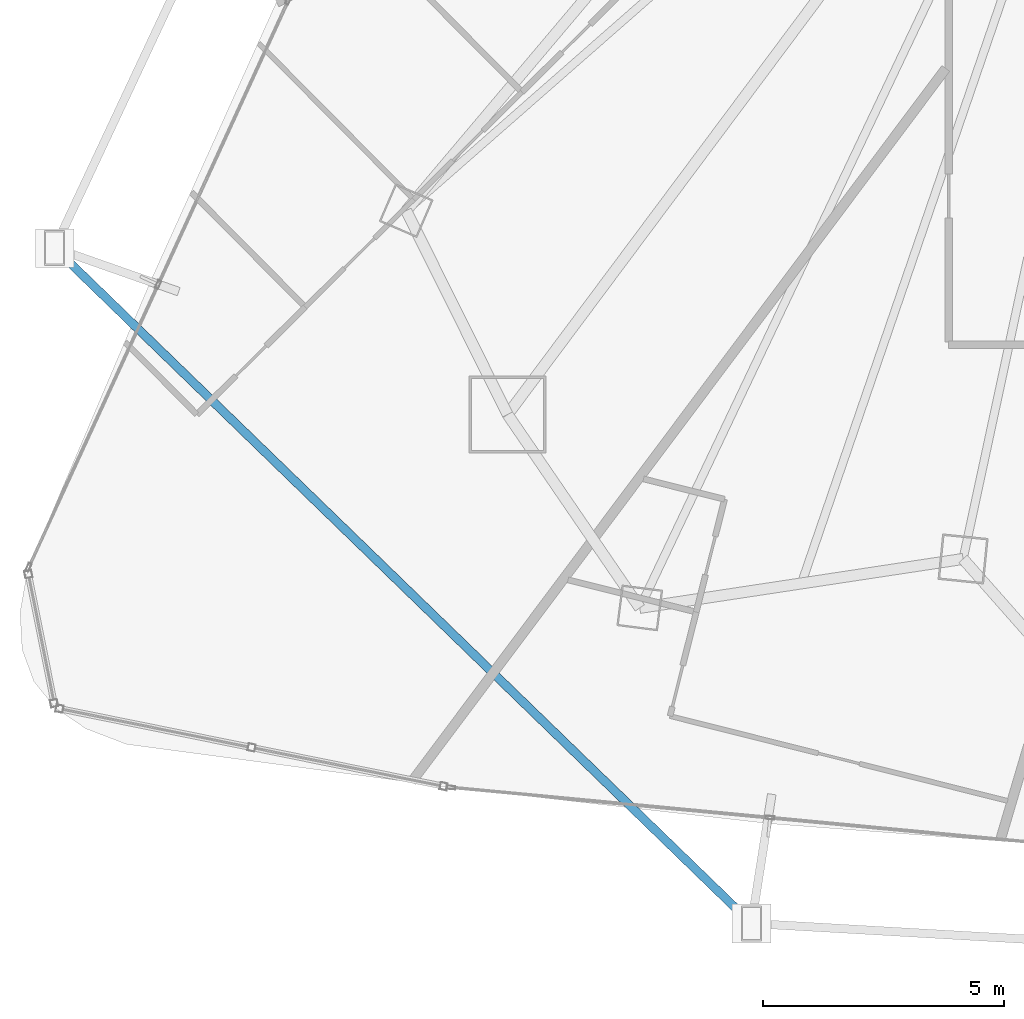
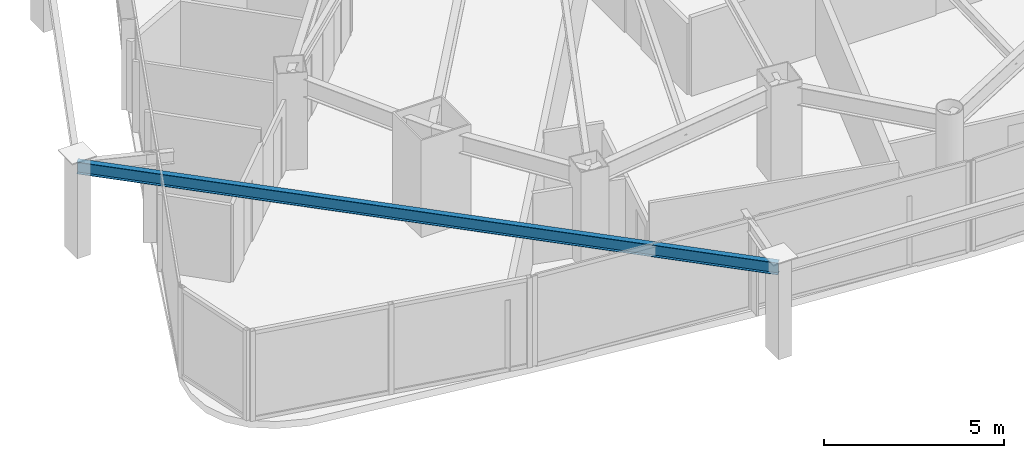
# One storey, part 3 of 35: 1 beam.
"""IFC4 building model written with IfcOpenShell, lengths in metres."""

from ifc_helpers import new_model, si_unit, direction, frame, origin, origin_2d, place, context, subcontext, project, spatial, i_section, extrude, material, material_profile, profile_set, type_object, element, save


model = new_model("IFC4")

# Units and contexts
model_context = context("Model", 3, precision=1e-05, world=origin(), true_north=direction((0.0, 1.0)))
body_context = subcontext(model_context, "Body", "Model", "MODEL_VIEW")
ifc_project = project(units=[si_unit("LENGTHUNIT", "METRE"), si_unit("AREAUNIT", "SQUARE_METRE"), si_unit("VOLUMEUNIT", "CUBIC_METRE"), si_unit("PLANEANGLEUNIT", "RADIAN"), si_unit("MASSUNIT", "GRAM", prefix="KILO")], contexts=[model_context])

# Site, building, storey
site_placement = place(None, origin())
site = spatial("IfcSite", under=ifc_project, at=site_placement, CompositionType="ELEMENT")
building_placement = place(site_placement, origin())
building = spatial("IfcBuilding", under=site, at=building_placement, Name="Orvanel Arch Residences", CompositionType="ELEMENT")
storey_placement = place(building_placement, frame((0.0, 0.0, 40.10009765625)))
storey = spatial("IfcBuildingStorey", under=building, at=storey_placement, Name="L10", CompositionType="ELEMENT", Elevation=40.10009765625)

# Beam
ifc_material = material(Name="Structural steel AS/NZS 3679.1 Grade 300 (300 MPa)", Category="steel")
ifc_material_profile = material_profile(ifc_material, i_section(OverallWidth=0.177978515625, OverallDepth=0.406005859375, WebThickness=0.0078125, FlangeThickness=0.0126953125, at=origin_2d()), Name="410UB59.7")
ifc_profile_set = profile_set([ifc_material_profile], Name="Structural steel AS/NZS 3679.1 Grade 300 (300 MPa)")
beam_type = type_object("IfcBeamType", Name="OB-410UB-EXT", PredefinedType="SPANDREL", material=ifc_profile_set)
beam_placement = place(storey_placement, frame((4.801025390625, 13.804931640625, 2.85693359375), z_axis=(0.718072802747, -0.695967994922, 0.0), x_axis=(0.695967994922, 0.718072802747, 0.0)))
element("IfcBeam", 1, at=beam_placement, inside=storey, type_object=beam_type, Name="L10 Outer Perimeter Floor Ring Beam 04", PredefinedType="SPANDREL", context=body_context, shape_type="SweptSolid", body=[
    extrude(i_section(OverallWidth=0.177978515625, OverallDepth=0.406005859375, WebThickness=0.0078125, FlangeThickness=0.0126953125, at=origin_2d()), origin(), (0.0, 0.0, 1.0), 20.134521484375),
])

save(model, "model.ifc")
